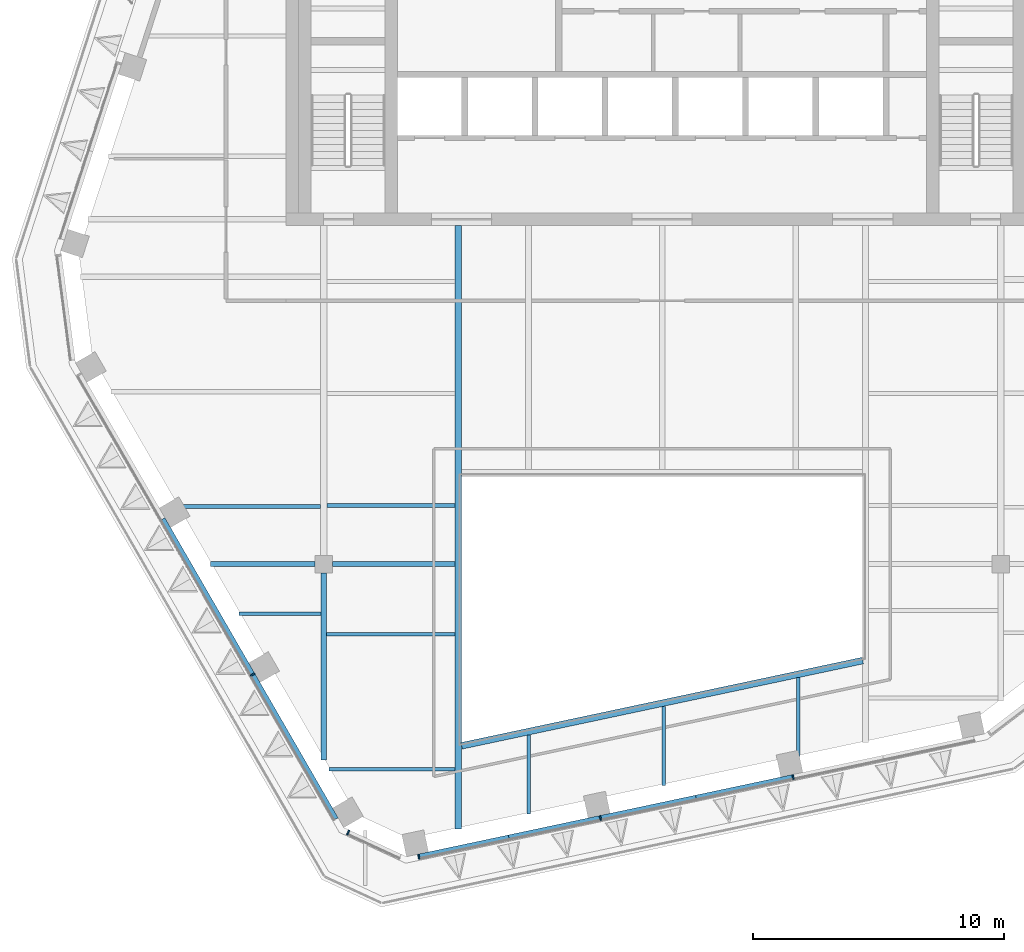
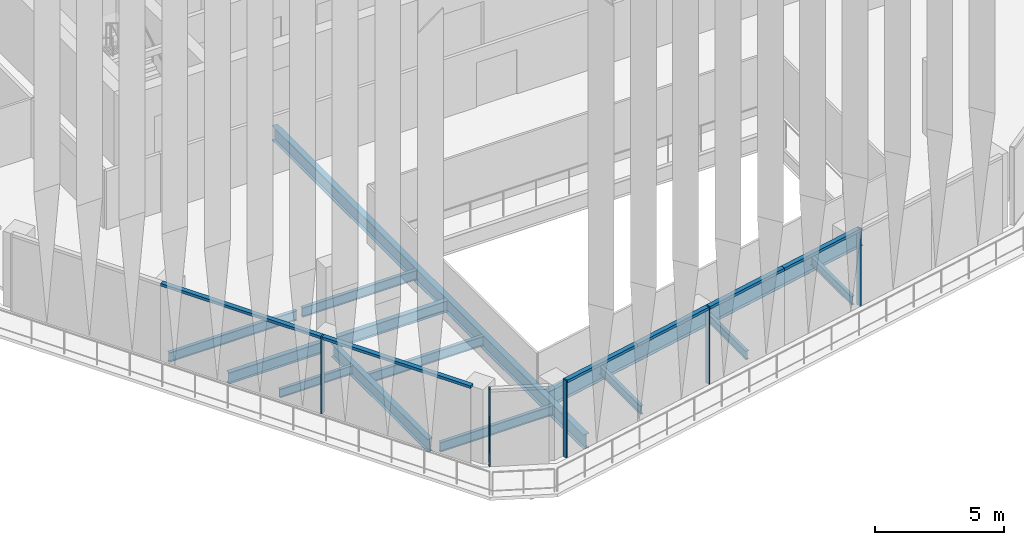
# One storey, part 2 of 21: 13 beams, 11 members, 3 elements without a shape of their own.
"""IFC4 building model written with IfcOpenShell, lengths in metres."""

from ifc_helpers import new_model, si_unit, direction, frame, origin, origin_2d, place, context, subcontext, project, spatial, rectangle, i_section, extrude, material, layer, layer_set, material_profile, profile_set, type_object, element, aggregate, save


model = new_model("IFC4")

# Units and contexts
model_context = context("Model", 3, precision=1e-05, world=origin(), true_north=direction((0.0, 1.0)))
body_context = subcontext(model_context, "Body", "Model", "MODEL_VIEW")
ifc_project = project(units=[si_unit("LENGTHUNIT", "METRE"), si_unit("AREAUNIT", "SQUARE_METRE"), si_unit("VOLUMEUNIT", "CUBIC_METRE"), si_unit("PLANEANGLEUNIT", "RADIAN"), si_unit("MASSUNIT", "GRAM", prefix="KILO")], contexts=[model_context])

# Site, building, storey
site_placement = place(None, origin())
site = spatial("IfcSite", under=ifc_project, at=site_placement, CompositionType="ELEMENT")
building_placement = place(site_placement, origin())
building = spatial("IfcBuilding", under=site, at=building_placement, Name="Isthmus Gate Tower", CompositionType="ELEMENT")
storey_placement = place(building_placement, frame((0.0, 0.0, 260.949951171875)))
storey = spatial("IfcBuildingStorey", under=building, at=storey_placement, Name="L66", CompositionType="ELEMENT", Elevation=260.949951171875)

# Curtain wall, member
ifc_material_1 = material(Name="Aluminium, pale champagne anodised", Category="aluminium")
ifc_layer = layer(ifc_material_1, 0.199951171875)
ifc_layer_set = layer_set([ifc_layer], Name="CW-1 UNITISED CURTAIN WALL 200 DEEP")
curtain_wall_type = type_object("IfcCurtainWallType", Name="CW-1 UNITISED CURTAIN WALL 200 DEEP", PredefinedType="NOTDEFINED", material=ifc_layer_set)
curtain_wall_1_placement = place(storey_placement, origin())
curtain_wall_1 = element("IfcCurtainWall", 1, at=curtain_wall_1_placement, inside=storey, type_object=curtain_wall_type, Name="CW-1 SW L66", PredefinedType="NOTDEFINED")
ifc_material_2 = material(Name="Aluminium, pale champagne anodised", Category="aluminium")
ifc_material_profile_1 = material_profile(ifc_material_2, rectangle(XDim=0.06005859375, YDim=0.199951171875, at=origin_2d()), Name="60x200")
ifc_profile_set_1 = profile_set([ifc_material_profile_1], Name="Aluminium, pale champagne anodised")
member_type_1 = type_object("IfcMemberType", Name="CW-1 MULLION 60 X 200", PredefinedType="MULLION", material=ifc_profile_set_1)
member_1_placement = place(storey_placement, frame((-16.33544921875, -17.90625, 0.0), z_axis=(0.0, 0.0, 1.0), x_axis=(0.5, -0.866025403784, 0.0)))
member_1 = element("IfcMember", 2, at=member_1_placement, type_object=member_type_1, Name="CW-1 mullion", PredefinedType="MULLION", context=body_context, shape_type="SweptSolid", body=[
    extrude(rectangle(XDim=0.06005859375, YDim=0.199951171875, at=origin_2d()), origin(), (0.0, 0.0, 1.0), 3.650146484375),
])

curtain_wall_2_placement = place(storey_placement, origin())
curtain_wall_2 = element("IfcCurtainWall", 3, at=curtain_wall_2_placement, inside=storey, type_object=curtain_wall_type, Name="CW-1 SW-S L66", PredefinedType="NOTDEFINED")
member_2_placement = place(storey_placement, frame((-12.519775390625, -24.201171875, 0.0), z_axis=(0.0, 0.0, 1.0), x_axis=(0.907256261367, -0.420578264073, 0.0)))
member_2 = element("IfcMember", 4, at=member_2_placement, type_object=member_type_1, Name="CW-1 mullion", PredefinedType="MULLION", context=body_context, shape_type="SweptSolid", body=[
    extrude(rectangle(XDim=0.06005859375, YDim=0.199951171875, at=origin_2d()), origin(), (0.0, 0.0, 1.0), 3.650146484375),
])
aggregate(curtain_wall_2, [member_2])

# Curtain wall, members
curtain_wall_3_placement = place(storey_placement, origin())
curtain_wall_3 = element("IfcCurtainWall", 5, at=curtain_wall_3_placement, inside=storey, type_object=curtain_wall_type, Name="CW-1 S L66", PredefinedType="NOTDEFINED")
member_3_placement = place(storey_placement, frame((-9.70703125, -25.16552734375, 0.0), z_axis=(0.0, 0.0, 1.0), x_axis=(0.978147600734, 0.207911690818, 0.0)))
member_3 = element("IfcMember", 6, at=member_3_placement, type_object=member_type_1, Name="CW-1 mullion", PredefinedType="MULLION", context=body_context, shape_type="SweptSolid", body=[
    extrude(rectangle(XDim=0.06005859375, YDim=0.199951171875, at=origin_2d()), origin(), (0.0, 0.0, 1.0), 3.650146484375),
])
member_4_placement = place(storey_placement, frame((-2.462158203125, -23.62548828125, 0.0), z_axis=(0.0, 0.0, 1.0), x_axis=(0.978147600734, 0.207911690818, 0.0)))
member_4 = element("IfcMember", 7, at=member_4_placement, type_object=member_type_1, Name="CW-1 mullion", PredefinedType="MULLION", context=body_context, shape_type="SweptSolid", body=[
    extrude(rectangle(XDim=0.06005859375, YDim=0.199951171875, at=origin_2d()), origin(), (0.0, 0.0, 1.0), 3.650146484375),
])
member_5_placement = place(storey_placement, frame((5.222900390625, -21.991943359375, 0.0), z_axis=(0.0, 0.0, 1.0), x_axis=(0.978147600734, 0.207911690818, 0.0)))
member_5 = element("IfcMember", 8, at=member_5_placement, type_object=member_type_1, Name="CW-1 mullion", PredefinedType="MULLION", context=body_context, shape_type="SweptSolid", body=[
    extrude(rectangle(XDim=0.06005859375, YDim=0.199951171875, at=origin_2d()), origin(), (0.0, 0.0, 1.0), 3.650146484375),
])

# Member
ifc_material_3 = material(Name="Aluminium, pale champagne anodised", Category="aluminium")
ifc_material_profile_2 = material_profile(ifc_material_3, rectangle(XDim=0.199951171875, YDim=0.1298828125, at=origin_2d()), Name="200x130")
ifc_profile_set_2 = profile_set([ifc_material_profile_2], Name="Aluminium, pale champagne anodised")
member_type_2 = type_object("IfcMemberType", Name="CW-1 TRANSOM 200 X 130", PredefinedType="USERDEFINED", material=ifc_profile_set_2)
member_6_placement = place(storey_placement, frame((-19.917724609375, -11.70166015625, 3.5849609375), z_axis=(0.500010763282, -0.866019189511, 0.0), x_axis=(0.866019189511, 0.500010763282, 0.0)))
member_6 = element("IfcMember", 9, at=member_6_placement, type_object=member_type_2, Name="CW-1 transom", ObjectType="TRANSOM", PredefinedType="USERDEFINED", context=body_context, shape_type="SweptSolid", body=[
    extrude(rectangle(XDim=0.199951171875, YDim=0.1298828125, at=origin_2d()), origin(), (0.0, 0.0, 1.0), 7.134521484375),
])

member_7_placement = place(storey_placement, frame((-16.3203125, -17.932373046875, 3.5849609375), z_axis=(0.500011702555, -0.866018647206, 0.0), x_axis=(0.866018647206, 0.500011702555, 0.0)))
member_7 = element("IfcMember", 10, at=member_7_placement, type_object=member_type_2, Name="CW-1 transom", ObjectType="TRANSOM", PredefinedType="USERDEFINED", context=body_context, shape_type="SweptSolid", body=[
    extrude(rectangle(XDim=0.199951171875, YDim=0.1298828125, at=origin_2d()), origin(), (0.0, 0.0, 1.0), 6.624267578125),
])

aggregate(curtain_wall_1, [member_6, member_1, member_7])

member_8_placement = place(storey_placement, frame((-9.677734375, -25.1591796875, 3.5849609375), z_axis=(0.9781569775, 0.207867571707, 0.0), x_axis=(-0.207867571707, 0.9781569775, 0.0)))
member_8 = element("IfcMember", 11, at=member_8_placement, type_object=member_type_2, Name="CW-1 transom", ObjectType="TRANSOM", PredefinedType="USERDEFINED", context=body_context, shape_type="SweptSolid", body=[
    extrude(rectangle(XDim=0.199951171875, YDim=0.1298828125, at=origin_2d()), origin(), (0.0, 0.0, 1.0), 3.643310546875),
])

member_9_placement = place(storey_placement, frame((-6.114013671875, -24.40185546875, 3.5849609375), z_axis=(0.978146451283, 0.207917098487, 0.0), x_axis=(-0.207917098487, 0.978146451283, 0.0)))
member_9 = element("IfcMember", 12, at=member_9_placement, type_object=member_type_2, Name="CW-1 transom", ObjectType="TRANSOM", PredefinedType="USERDEFINED", context=body_context, shape_type="SweptSolid", body=[
    extrude(rectangle(XDim=0.199951171875, YDim=0.1298828125, at=origin_2d()), origin(), (0.0, 0.0, 1.0), 3.70361328125),
])

member_10_placement = place(storey_placement, frame((-2.432861328125, -23.619384765625, 3.5849609375), z_axis=(0.978140080964, 0.207947065409, 0.0), x_axis=(-0.207947065409, 0.978140080964, 0.0)))
member_10 = element("IfcMember", 13, at=member_10_placement, type_object=member_type_2, Name="CW-1 transom", ObjectType="TRANSOM", PredefinedType="USERDEFINED", context=body_context, shape_type="SweptSolid", body=[
    extrude(rectangle(XDim=0.199951171875, YDim=0.1298828125, at=origin_2d()), origin(), (0.0, 0.0, 1.0), 3.868408203125),
])

member_11_placement = place(storey_placement, frame((1.35107421875, -22.81494140625, 3.5849609375), z_axis=(0.978153006411, 0.207886257478, 0.0), x_axis=(-0.207886257478, 0.978153006411, 0.0)))
member_11 = element("IfcMember", 14, at=member_11_placement, type_object=member_type_2, Name="CW-1 transom", ObjectType="TRANSOM", PredefinedType="USERDEFINED", context=body_context, shape_type="SweptSolid", body=[
    extrude(rectangle(XDim=0.199951171875, YDim=0.1298828125, at=origin_2d()), origin(), (0.0, 0.0, 1.0), 3.928466796875),
])

aggregate(curtain_wall_3, [member_3, member_8, member_9, member_4, member_10, member_11, member_5])

# Beams
ifc_material_4 = material(Name="Structural steel ASTM A992 Gr 50", Category="steel")
ifc_material_profile_3 = material_profile(ifc_material_4, i_section(OverallWidth=0.1396484375, OverallDepth=0.4033203125, WebThickness=0.00634765625, FlangeThickness=0.010986328125, at=origin_2d()), Name="W16X31")
ifc_profile_set_3 = profile_set([ifc_material_profile_3], Name="Structural steel ASTM A992 Gr 50")
beam_type_1 = type_object("IfcBeamType", Name="STEEL FLOOR BEAM W16X31", PredefinedType="JOIST", material=ifc_profile_set_3)
beam_1_placement = place(storey_placement, frame((-16.866943359375, -15.482666015625, -0.3515625), z_axis=(1.0, 0.0, 0.0), x_axis=(0.0, 1.0, 0.0)))
element("IfcBeam", 15, at=beam_1_placement, inside=storey, type_object=beam_type_1, Name="str-beam-L66-02-00", PredefinedType="JOIST", context=body_context, shape_type="SweptSolid", body=[
    extrude(i_section(OverallWidth=0.1396484375, OverallDepth=0.4033203125, WebThickness=0.00634765625, FlangeThickness=0.010986328125, at=origin_2d()), origin(), (0.0, 0.0, 1.0), 3.252685546875),
])
beam_2_placement = place(storey_placement, frame((-5.314208984375, -23.46337890625, -0.3515625), z_axis=(0.0, 1.0, 0.0), x_axis=(-1.0, 0.0, 0.0)))
element("IfcBeam", 16, at=beam_2_placement, inside=storey, type_object=beam_type_1, Name="str-beam-L66-05-00", PredefinedType="JOIST", context=body_context, shape_type="SweptSolid", body=[
    extrude(i_section(OverallWidth=0.1396484375, OverallDepth=0.4033203125, WebThickness=0.00634765625, FlangeThickness=0.010986328125, at=origin_2d()), origin(), (0.0, 0.0, 1.0), 3.150390625),
])
for number, where, z_axis, x_axis, name in (
    (17, (0.05712890625, -22.32177734375, -0.3515625), (0.0, 1.0, 0.0), (-1.0, 0.0, 0.0), "str-beam-L66-05-01"),
    (18, (5.428466796875, -21.179931640625, -0.3515625), (0.0, 1.0, 0.0), (-1.0, 0.0, 0.0), "str-beam-L66-05-02"),
):
    element("IfcBeam", number, at=place(storey_placement, frame(where, z_axis=z_axis, x_axis=x_axis)), inside=storey, type_object=beam_type_1, Name=name, PredefinedType="JOIST", context=body_context, shape_type="SweptSolid", body=[
        extrude(i_section(OverallWidth=0.1396484375, OverallDepth=0.4033203125, WebThickness=0.00634765625, FlangeThickness=0.010986328125, at=origin_2d()), origin(), (0.0, 0.0, 1.0), 3.150634765625),
    ])
ifc_material_5 = material(Name="Structural steel ASTM A992 Gr 50", Category="steel")
ifc_material_profile_4 = material_profile(ifc_material_5, i_section(OverallWidth=0.15234375, OverallDepth=0.45068359375, WebThickness=0.0078125, FlangeThickness=0.010986328125, at=origin_2d()), Name="W18X35")
ifc_profile_set_4 = profile_set([ifc_material_profile_4], Name="Structural steel ASTM A992 Gr 50")
beam_type_2 = type_object("IfcBeamType", Name="STEEL FLOOR BEAM W18X35", PredefinedType="JOIST", material=ifc_profile_set_4)
beam_3_placement = place(storey_placement, frame((-19.33447265625, -11.208251953125, -0.375244140625), z_axis=(1.0, 0.0, 0.0), x_axis=(0.0, 1.0, 0.0)))
element("IfcBeam", 19, at=beam_3_placement, inside=storey, type_object=beam_type_2, Name="str-beam-L66-01-00", PredefinedType="JOIST", context=body_context, shape_type="SweptSolid", body=[
    extrude(i_section(OverallWidth=0.15234375, OverallDepth=0.45068359375, WebThickness=0.0078125, FlangeThickness=0.010986328125, at=origin_2d()), origin(), (0.0, 0.0, 1.0), 5.70263671875),
])
beam_4_placement = place(storey_placement, frame((-13.3681640625, -11.16259765625, -0.375244140625), z_axis=(1.0, 0.0, 0.0), x_axis=(0.0, 1.0, 0.0)))
element("IfcBeam", 20, at=beam_4_placement, inside=storey, type_object=beam_type_2, Name="str-beam-L66-03-00", PredefinedType="JOIST", context=body_context, shape_type="SweptSolid", body=[
    extrude(i_section(OverallWidth=0.15234375, OverallDepth=0.45068359375, WebThickness=0.0078125, FlangeThickness=0.010986328125, at=origin_2d()), origin(), (0.0, 0.0, 1.0), 5.1142578125),
])
beam_5_placement = place(storey_placement, frame((-13.2890625, -21.67919921875, -0.375244140625), z_axis=(1.0, 0.0, 0.0), x_axis=(0.0, 1.0, 0.0)))
element("IfcBeam", 21, at=beam_5_placement, inside=storey, type_object=beam_type_2, Name="str-beam-L66-04-00", PredefinedType="JOIST", context=body_context, shape_type="SweptSolid", body=[
    extrude(i_section(OverallWidth=0.15234375, OverallDepth=0.45068359375, WebThickness=0.0078125, FlangeThickness=0.010986328125, at=origin_2d()), origin(), (0.0, 0.0, 1.0), 5.03515625),
])
beam_6_placement = place(storey_placement, frame((-13.3857421875, -16.296142578125, -0.375244140625), z_axis=(1.0, 0.0, 0.0), x_axis=(0.0, 1.0, 0.0)))
element("IfcBeam", 22, at=beam_6_placement, inside=storey, type_object=beam_type_2, Name="str-beam-L66-04-01", PredefinedType="JOIST", context=body_context, shape_type="SweptSolid", body=[
    extrude(i_section(OverallWidth=0.15234375, OverallDepth=0.45068359375, WebThickness=0.0078125, FlangeThickness=0.010986328125, at=origin_2d()), origin(), (0.0, 0.0, 1.0), 5.1318359375),
])
ifc_material_6 = material(Name="Structural steel ASTM A992 Gr 50", Category="steel")
ifc_material_profile_5 = material_profile(ifc_material_6, i_section(OverallWidth=0.20947265625, OverallDepth=0.533447265625, WebThickness=0.009521484375, FlangeThickness=0.015869140625, at=origin_2d()), Name="W21X62")
ifc_profile_set_5 = profile_set([ifc_material_profile_5], Name="Structural steel ASTM A992 Gr 50")
beam_type_3 = type_object("IfcBeamType", Name="STEEL GIRDER W21X62", PredefinedType="BEAM", material=ifc_profile_set_5)
beam_7_placement = place(storey_placement, frame((-18.011474609375, -13.5, -0.416748046875), z_axis=(1.0, 0.0, 0.0), x_axis=(0.0, 1.0, 0.0)))
element("IfcBeam", 23, at=beam_7_placement, inside=storey, type_object=beam_type_3, Name="str-girder-L66-01", PredefinedType="BEAM", context=body_context, shape_type="SweptSolid", body=[
    extrude(i_section(OverallWidth=0.20947265625, OverallDepth=0.533447265625, WebThickness=0.009521484375, FlangeThickness=0.015869140625, at=origin_2d()), origin(), (0.0, 0.0, 1.0), 4.161376953125),
])
beam_8_placement = place(storey_placement, frame((-13.14990234375, -13.5, -0.416748046875), z_axis=(1.0, 0.0, 0.0), x_axis=(0.0, 1.0, 0.0)))
element("IfcBeam", 24, at=beam_8_placement, inside=storey, type_object=beam_type_3, Name="str-girder-L66-02", PredefinedType="BEAM", context=body_context, shape_type="SweptSolid", body=[
    extrude(i_section(OverallWidth=0.20947265625, OverallDepth=0.533447265625, WebThickness=0.009521484375, FlangeThickness=0.015869140625, at=origin_2d()), origin(), (0.0, 0.0, 1.0), 4.89599609375),
])
ifc_material_7 = material(Name="Structural steel ASTM A992 Gr 50", Category="steel")
ifc_material_profile_6 = material_profile(ifc_material_7, i_section(OverallWidth=0.228515625, OverallDepth=0.603271484375, WebThickness=0.010986328125, FlangeThickness=0.014404296875, at=origin_2d()), Name="W24X68")
ifc_profile_set_6 = profile_set([ifc_material_profile_6], Name="Structural steel ASTM A992 Gr 50")
beam_type_4 = type_object("IfcBeamType", Name="STEEL GIRDER W24X68", PredefinedType="BEAM", material=ifc_profile_set_6)
beam_9_placement = place(storey_placement, frame((-13.5, -21.314208984375, -0.45166015625), z_axis=(0.0, 1.0, 0.0), x_axis=(-1.0, 0.0, 0.0)))
element("IfcBeam", 25, at=beam_9_placement, inside=storey, type_object=beam_type_4, Name="str-girder-L66-05", PredefinedType="BEAM", context=body_context, shape_type="SweptSolid", body=[
    extrude(i_section(OverallWidth=0.228515625, OverallDepth=0.603271484375, WebThickness=0.010986328125, FlangeThickness=0.014404296875, at=origin_2d()), origin(), (0.0, 0.0, 1.0), 7.464111328125),
])
ifc_material_8 = material(Name="Structural steel ASTM A992 Gr 50", Category="steel")
ifc_material_profile_7 = material_profile(ifc_material_8, i_section(OverallWidth=0.25390625, OverallDepth=0.679443359375, WebThickness=0.010986328125, FlangeThickness=0.015869140625, at=origin_2d()), Name="W27X84")
ifc_profile_set_7 = profile_set([ifc_material_profile_7], Name="Structural steel ASTM A992 Gr 50")
beam_type_5 = type_object("IfcBeamType", Name="STEEL TRIMMER W27X84", PredefinedType="BEAM", material=ifc_profile_set_7)
beam_10_placement = place(storey_placement, frame((-8.126953125, 0.0, -0.48974609375), z_axis=(0.0, -1.0, 0.0), x_axis=(1.0, 0.0, 0.0)))
element("IfcBeam", 26, at=beam_10_placement, inside=storey, type_object=beam_type_5, Name="str-trimmer-L66-02", PredefinedType="BEAM", context=body_context, shape_type="SweptSolid", body=[
    extrude(i_section(OverallWidth=0.25390625, OverallDepth=0.679443359375, WebThickness=0.010986328125, FlangeThickness=0.015869140625, at=origin_2d()), origin(), (0.0, 0.0, 1.0), 24.061279296875),
])
ifc_material_9 = material(Name="Structural steel ASTM A992 Gr 50", Category="steel")
ifc_material_profile_8 = material_profile(ifc_material_9, i_section(OverallWidth=0.2666015625, OverallDepth=0.7587890625, WebThickness=0.014404296875, FlangeThickness=0.01904296875, at=origin_2d()), Name="W30X108")
ifc_profile_set_8 = profile_set([ifc_material_profile_8], Name="Structural steel ASTM A992 Gr 50")
beam_type_6 = type_object("IfcBeamType", Name="STEEL TRIMMER W30X108", PredefinedType="BEAM", material=ifc_profile_set_8)
beam_11_placement = place(storey_placement, frame((-8.0, -20.747314453125, -0.529296875), z_axis=(0.978147924985, 0.20791016533, 0.0), x_axis=(-0.20791016533, 0.978147924985, 0.0)))
element("IfcBeam", 27, at=beam_11_placement, inside=storey, type_object=beam_type_6, Name="str-trimmer-L66-03", PredefinedType="BEAM", context=body_context, shape_type="SweptSolid", body=[
    extrude(i_section(OverallWidth=0.2666015625, OverallDepth=0.7587890625, WebThickness=0.014404296875, FlangeThickness=0.01904296875, at=origin_2d()), origin(), (0.0, 0.0, 1.0), 16.357421875),
])

save(model, "model.ifc")
